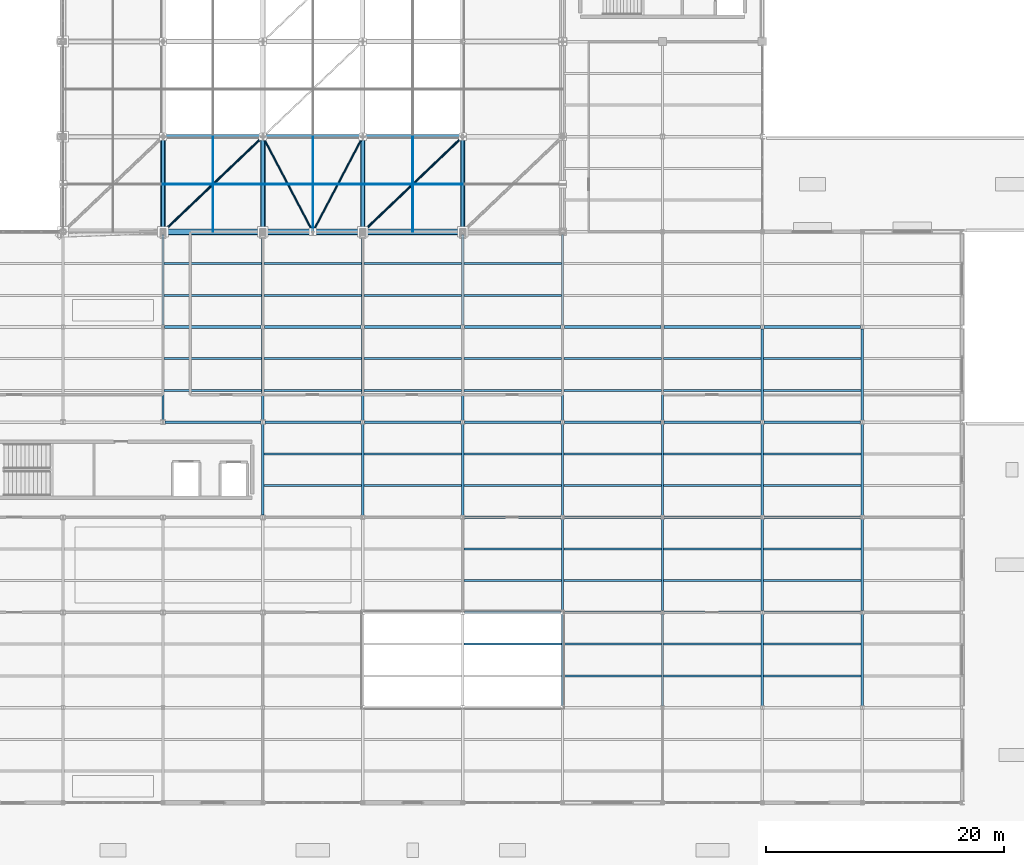
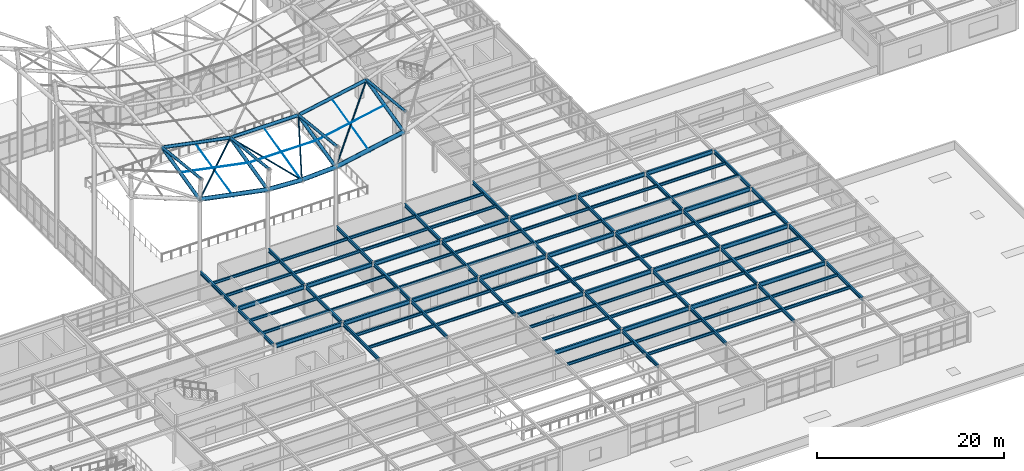
# One storey, part 34 of 138: 110 beams, 14 members.
"""IFC4 building model written with IfcOpenShell, lengths in metres."""

from ifc_helpers import new_model, si_unit, direction, frame, origin, origin_2d, place, context, subcontext, project, spatial, circle, hollow_circle, i_section, extrude, material, material_profile, profile_set, type_object, element, save


model = new_model("IFC4")

# Units and contexts
model_context = context("Model", 3, precision=1e-05, world=origin(), true_north=direction((0.0, 1.0)))
body_context = subcontext(model_context, "Body", "Model", "MODEL_VIEW")
ifc_project = project(units=[si_unit("LENGTHUNIT", "METRE"), si_unit("AREAUNIT", "SQUARE_METRE"), si_unit("VOLUMEUNIT", "CUBIC_METRE"), si_unit("PLANEANGLEUNIT", "RADIAN"), si_unit("MASSUNIT", "GRAM", prefix="KILO")], contexts=[model_context])

# Site, building, storey
site_placement = place(None, origin())
site = spatial("IfcSite", under=ifc_project, at=site_placement, CompositionType="ELEMENT")
building_placement = place(site_placement, origin())
building = spatial("IfcBuilding", under=site, at=building_placement, Name="Kranzveld Transit Interchange", CompositionType="ELEMENT")
storey_placement = place(building_placement, frame((0.0, 0.0, 5.43994140625)))
storey = spatial("IfcBuildingStorey", under=building, at=storey_placement, Name="L01", CompositionType="ELEMENT", Elevation=5.43994140625)

# Beams
ifc_material_1 = material(Name="Steel S355JR", Category="steel")
ifc_material_profile_1 = material_profile(ifc_material_1, i_section(OverallWidth=0.19189453125, OverallDepth=0.46337890625, WebThickness=0.010498046875, FlangeThickness=0.017578125, FilletRadius=0.01025390625, at=origin_2d()), Name="UB 457x191x89")
ifc_profile_set_1 = profile_set([ifc_material_profile_1], Name="Steel S355JR")
beam_type_1 = type_object("IfcBeamType", Name="Beam Steel UB 457x191x89 S355JR", PredefinedType="BEAM", material=ifc_profile_set_1)
beam_1_placement = place(storey_placement, frame((67.199951171875, 40.17724609375, 3.568359375), z_axis=(0.0, 1.0, 0.0), x_axis=(-1.0, 0.0, 0.0)))
element("IfcBeam", 1, at=beam_1_placement, inside=storey, type_object=beam_type_1, Name="L01 Girder 09/F-G", PredefinedType="BEAM", context=body_context, shape_type="SweptSolid", body=[
    extrude(i_section(OverallWidth=0.19189453125, OverallDepth=0.46337890625, WebThickness=0.010498046875, FlangeThickness=0.017578125, FilletRadius=0.01025390625, at=origin_2d()), origin(), (0.0, 0.0, 1.0), 7.672607421875),
])
beam_2_placement = place(storey_placement, frame((67.199951171875, 48.150146484375, 3.568359375), z_axis=(0.0, 1.0, 0.0), x_axis=(-1.0, 0.0, 0.0)))
element("IfcBeam", 2, at=beam_2_placement, inside=storey, type_object=beam_type_1, Name="L01 Girder 09/G-H", PredefinedType="BEAM", context=body_context, shape_type="SweptSolid", body=[
    extrude(i_section(OverallWidth=0.19189453125, OverallDepth=0.46337890625, WebThickness=0.010498046875, FlangeThickness=0.017578125, FilletRadius=0.01025390625, at=origin_2d()), origin(), (0.0, 0.0, 1.0), 7.63134765625),
])
beam_3_placement = place(storey_placement, frame((75.60009765625, 32.17724609375, 3.568359375), z_axis=(0.0, 1.0, 0.0), x_axis=(-1.0, 0.0, 0.0)))
element("IfcBeam", 3, at=beam_3_placement, inside=storey, type_object=beam_type_1, Name="L01 Girder 10/E-F", PredefinedType="BEAM", context=body_context, shape_type="SweptSolid", body=[
    extrude(i_section(OverallWidth=0.19189453125, OverallDepth=0.46337890625, WebThickness=0.010498046875, FlangeThickness=0.017578125, FilletRadius=0.01025390625, at=origin_2d()), origin(), (0.0, 0.0, 1.0), 7.6455078125),
])
beam_4_placement = place(storey_placement, frame((75.60009765625, 40.17724609375, 3.568359375), z_axis=(0.0, 1.0, 0.0), x_axis=(-1.0, 0.0, 0.0)))
element("IfcBeam", 4, at=beam_4_placement, inside=storey, type_object=beam_type_1, Name="L01 Girder 10/F-G", PredefinedType="BEAM", context=body_context, shape_type="SweptSolid", body=[
    extrude(i_section(OverallWidth=0.19189453125, OverallDepth=0.46337890625, WebThickness=0.010498046875, FlangeThickness=0.017578125, FilletRadius=0.01025390625, at=origin_2d()), origin(), (0.0, 0.0, 1.0), 7.672607421875),
])
beam_5_placement = place(storey_placement, frame((75.60009765625, 48.150146484375, 3.568359375), z_axis=(0.0, 1.0, 0.0), x_axis=(-1.0, 0.0, 0.0)))
element("IfcBeam", 5, at=beam_5_placement, inside=storey, type_object=beam_type_1, Name="L01 Girder 10/G-H", PredefinedType="BEAM", context=body_context, shape_type="SweptSolid", body=[
    extrude(i_section(OverallWidth=0.19189453125, OverallDepth=0.46337890625, WebThickness=0.010498046875, FlangeThickness=0.017578125, FilletRadius=0.01025390625, at=origin_2d()), origin(), (0.0, 0.0, 1.0), 7.63134765625),
])
for number, where, z_axis, x_axis, name in (
    (6, (84.0, 32.150146484375, 3.568359375), (0.0, 1.0, 0.0), (-1.0, 0.0, 0.0), "L01 Girder 11/E-F"),
    (7, (84.0, 40.150146484375, 3.568359375), (0.0, 1.0, 0.0), (-1.0, 0.0, 0.0), "L01 Girder 11/F-G"),
):
    element("IfcBeam", number, at=place(storey_placement, frame(where, z_axis=z_axis, x_axis=x_axis)), inside=storey, type_object=beam_type_1, Name=name, PredefinedType="BEAM", context=body_context, shape_type="SweptSolid", body=[
        extrude(i_section(OverallWidth=0.19189453125, OverallDepth=0.46337890625, WebThickness=0.010498046875, FlangeThickness=0.017578125, FilletRadius=0.01025390625, at=origin_2d()), origin(), (0.0, 0.0, 1.0), 7.69970703125),
    ])
beam_6_placement = place(storey_placement, frame((84.0, 48.150146484375, 3.568359375), z_axis=(0.0, 1.0, 0.0), x_axis=(-1.0, 0.0, 0.0)))
element("IfcBeam", 8, at=beam_6_placement, inside=storey, type_object=beam_type_1, Name="L01 Girder 11/G-H", PredefinedType="BEAM", context=body_context, shape_type="SweptSolid", body=[
    extrude(i_section(OverallWidth=0.19189453125, OverallDepth=0.46337890625, WebThickness=0.010498046875, FlangeThickness=0.017578125, FilletRadius=0.01025390625, at=origin_2d()), origin(), (0.0, 0.0, 1.0), 7.63134765625),
])
for number, where, z_axis, x_axis, name in (
    (9, (92.39990234375, 32.150146484375, 3.568359375), (0.0, 1.0, 0.0), (-1.0, 0.0, 0.0), "L01 Girder 12/E-F"),
    (10, (92.39990234375, 40.150146484375, 3.568359375), (0.0, 1.0, 0.0), (-1.0, 0.0, 0.0), "L01 Girder 12/F-G"),
):
    element("IfcBeam", number, at=place(storey_placement, frame(where, z_axis=z_axis, x_axis=x_axis)), inside=storey, type_object=beam_type_1, Name=name, PredefinedType="BEAM", context=body_context, shape_type="SweptSolid", body=[
        extrude(i_section(OverallWidth=0.19189453125, OverallDepth=0.46337890625, WebThickness=0.010498046875, FlangeThickness=0.017578125, FilletRadius=0.01025390625, at=origin_2d()), origin(), (0.0, 0.0, 1.0), 7.69970703125),
    ])
beam_7_placement = place(storey_placement, frame((92.39990234375, 48.150146484375, 3.568359375), z_axis=(0.0, 1.0, 0.0), x_axis=(-1.0, 0.0, 0.0)))
element("IfcBeam", 11, at=beam_7_placement, inside=storey, type_object=beam_type_1, Name="L01 Girder 12/G-H", PredefinedType="BEAM", context=body_context, shape_type="SweptSolid", body=[
    extrude(i_section(OverallWidth=0.19189453125, OverallDepth=0.46337890625, WebThickness=0.010498046875, FlangeThickness=0.017578125, FilletRadius=0.01025390625, at=origin_2d()), origin(), (0.0, 0.0, 1.0), 7.63134765625),
])
for number, where, z_axis, x_axis, name in (
    (12, (100.800048828125, 16.150146484375, 3.568359375), (0.0, 1.0, 0.0), (-1.0, 0.0, 0.0), "L01 Girder 13/C-D"),
    (13, (100.800048828125, 24.150146484375, 3.568359375), (0.0, 1.0, 0.0), (-1.0, 0.0, 0.0), "L01 Girder 13/D-E"),
    (14, (100.800048828125, 32.150146484375, 3.568359375), (0.0, 1.0, 0.0), (-1.0, 0.0, 0.0), "L01 Girder 13/E-F"),
    (15, (100.800048828125, 40.150146484375, 3.568359375), (0.0, 1.0, 0.0), (-1.0, 0.0, 0.0), "L01 Girder 13/F-G"),
):
    element("IfcBeam", number, at=place(storey_placement, frame(where, z_axis=z_axis, x_axis=x_axis)), inside=storey, type_object=beam_type_1, Name=name, PredefinedType="BEAM", context=body_context, shape_type="SweptSolid", body=[
        extrude(i_section(OverallWidth=0.19189453125, OverallDepth=0.46337890625, WebThickness=0.010498046875, FlangeThickness=0.017578125, FilletRadius=0.01025390625, at=origin_2d()), origin(), (0.0, 0.0, 1.0), 7.69970703125),
    ])
beam_8_placement = place(storey_placement, frame((100.800048828125, 48.150146484375, 3.568359375), z_axis=(0.0, 1.0, 0.0), x_axis=(-1.0, 0.0, 0.0)))
element("IfcBeam", 16, at=beam_8_placement, inside=storey, type_object=beam_type_1, Name="L01 Girder 13/G-H", PredefinedType="BEAM", context=body_context, shape_type="SweptSolid", body=[
    extrude(i_section(OverallWidth=0.19189453125, OverallDepth=0.46337890625, WebThickness=0.010498046875, FlangeThickness=0.017578125, FilletRadius=0.01025390625, at=origin_2d()), origin(), (0.0, 0.0, 1.0), 7.63134765625),
])
for number, where, z_axis, x_axis, name in (
    (17, (109.199951171875, 16.150146484375, 3.568359375), (0.0, 1.0, 0.0), (-1.0, 0.0, 0.0), "L01 Girder 14/C-D"),
    (18, (109.199951171875, 24.150146484375, 3.568359375), (0.0, 1.0, 0.0), (-1.0, 0.0, 0.0), "L01 Girder 14/D-E"),
    (19, (109.199951171875, 32.150146484375, 3.568359375), (0.0, 1.0, 0.0), (-1.0, 0.0, 0.0), "L01 Girder 14/E-F"),
    (20, (109.199951171875, 40.150146484375, 3.568359375), (0.0, 1.0, 0.0), (-1.0, 0.0, 0.0), "L01 Girder 14/F-G"),
    (21, (117.60009765625, 16.150146484375, 3.568359375), (0.0, 1.0, 0.0), (-1.0, 0.0, 0.0), "L01 Girder 15/C-D"),
    (22, (117.60009765625, 24.150146484375, 3.568359375), (0.0, 1.0, 0.0), (-1.0, 0.0, 0.0), "L01 Girder 15/D-E"),
    (23, (117.60009765625, 32.150146484375, 3.568359375), (0.0, 1.0, 0.0), (-1.0, 0.0, 0.0), "L01 Girder 15/E-F"),
    (24, (117.60009765625, 40.150146484375, 3.568359375), (0.0, 1.0, 0.0), (-1.0, 0.0, 0.0), "L01 Girder 15/F-G"),
    (25, (126.0, 16.150146484375, 3.568359375), (0.0, 1.0, 0.0), (-1.0, 0.0, 0.0), "L01 Girder 16/C-D"),
    (26, (126.0, 24.150146484375, 3.568359375), (0.0, 1.0, 0.0), (-1.0, 0.0, 0.0), "L01 Girder 16/D-E"),
    (27, (126.0, 32.150146484375, 3.568359375), (0.0, 1.0, 0.0), (-1.0, 0.0, 0.0), "L01 Girder 16/E-F"),
    (28, (126.0, 40.150146484375, 3.568359375), (0.0, 1.0, 0.0), (-1.0, 0.0, 0.0), "L01 Girder 16/F-G"),
):
    element("IfcBeam", number, at=place(storey_placement, frame(where, z_axis=z_axis, x_axis=x_axis)), inside=storey, type_object=beam_type_1, Name=name, PredefinedType="BEAM", context=body_context, shape_type="SweptSolid", body=[
        extrude(i_section(OverallWidth=0.19189453125, OverallDepth=0.46337890625, WebThickness=0.010498046875, FlangeThickness=0.017578125, FilletRadius=0.01025390625, at=origin_2d()), origin(), (0.0, 0.0, 1.0), 7.69970703125),
    ])
ifc_material_2 = material(Name="Steel S355JR", Category="steel")
ifc_material_profile_2 = material_profile(ifc_material_2, i_section(OverallWidth=0.172119140625, OverallDepth=0.35791015625, WebThickness=0.008056640625, FlangeThickness=0.012939453125, FilletRadius=0.01025390625, at=origin_2d()), Name="UB 356x171x57")
ifc_profile_set_2 = profile_set([ifc_material_profile_2], Name="Steel S355JR")
beam_type_2 = type_object("IfcBeamType", Name="Floor Joist UB 356x171x57 S355JR", PredefinedType="JOIST", material=ifc_profile_set_2)
for number, where, z_axis, x_axis, name in (
    (29, (67.2978515625, 42.666748046875, 3.62109375), (1.0, 0.0, 0.0), (0.0, 1.0, 0.0), "L01 Secondary Joist 09-10/F.1"),
    (30, (67.2978515625, 45.333251953125, 3.62109375), (1.0, 0.0, 0.0), (0.0, 1.0, 0.0), "L01 Secondary Joist 09-10/F.2"),
    (31, (67.2978515625, 50.666748046875, 3.62109375), (1.0, 0.0, 0.0), (0.0, 1.0, 0.0), "L01 Secondary Joist 09-10/G.1"),
    (32, (67.2978515625, 53.333251953125, 3.62109375), (1.0, 0.0, 0.0), (0.0, 1.0, 0.0), "L01 Secondary Joist 09-10/G.2"),
    (33, (75.697998046875, 34.666748046875, 3.62109375), (1.0, 0.0, 0.0), (0.0, 1.0, 0.0), "L01 Secondary Joist 10-11/E.1"),
    (34, (75.697998046875, 37.333251953125, 3.62109375), (1.0, 0.0, 0.0), (0.0, 1.0, 0.0), "L01 Secondary Joist 10-11/E.2"),
    (35, (75.697998046875, 42.666748046875, 3.62109375), (1.0, 0.0, 0.0), (0.0, 1.0, 0.0), "L01 Secondary Joist 10-11/F.1"),
    (36, (75.697998046875, 45.333251953125, 3.62109375), (1.0, 0.0, 0.0), (0.0, 1.0, 0.0), "L01 Secondary Joist 10-11/F.2"),
    (37, (75.697998046875, 50.666748046875, 3.62109375), (1.0, 0.0, 0.0), (0.0, 1.0, 0.0), "L01 Secondary Joist 10-11/G.1"),
    (38, (75.697998046875, 53.333251953125, 3.62109375), (1.0, 0.0, 0.0), (0.0, 1.0, 0.0), "L01 Secondary Joist 10-11/G.2"),
    (39, (84.097900390625, 34.666748046875, 3.62109375), (1.0, 0.0, 0.0), (0.0, 1.0, 0.0), "L01 Secondary Joist 11-12/E.1"),
    (40, (84.097900390625, 37.333251953125, 3.62109375), (1.0, 0.0, 0.0), (0.0, 1.0, 0.0), "L01 Secondary Joist 11-12/E.2"),
    (41, (84.097900390625, 42.666748046875, 3.62109375), (1.0, 0.0, 0.0), (0.0, 1.0, 0.0), "L01 Secondary Joist 11-12/F.1"),
    (42, (84.097900390625, 45.333251953125, 3.62109375), (1.0, 0.0, 0.0), (0.0, 1.0, 0.0), "L01 Secondary Joist 11-12/F.2"),
    (43, (84.097900390625, 50.666748046875, 3.62109375), (1.0, 0.0, 0.0), (0.0, 1.0, 0.0), "L01 Secondary Joist 11-12/G.1"),
    (44, (84.097900390625, 53.333251953125, 3.62109375), (1.0, 0.0, 0.0), (0.0, 1.0, 0.0), "L01 Secondary Joist 11-12/G.2"),
    (45, (92.498046875, 21.333251953125, 3.62109375), (1.0, 0.0, 0.0), (0.0, 1.0, 0.0), "L01 Secondary Joist 12-13/C.2"),
    (46, (92.498046875, 26.666748046875, 3.62109375), (1.0, 0.0, 0.0), (0.0, 1.0, 0.0), "L01 Secondary Joist 12-13/D.1"),
    (47, (92.498046875, 29.333251953125, 3.62109375), (1.0, 0.0, 0.0), (0.0, 1.0, 0.0), "L01 Secondary Joist 12-13/D.2"),
    (48, (92.498046875, 34.666748046875, 3.62109375), (1.0, 0.0, 0.0), (0.0, 1.0, 0.0), "L01 Secondary Joist 12-13/E.1"),
    (49, (92.498046875, 37.333251953125, 3.62109375), (1.0, 0.0, 0.0), (0.0, 1.0, 0.0), "L01 Secondary Joist 12-13/E.2"),
    (50, (92.498046875, 42.666748046875, 3.62109375), (1.0, 0.0, 0.0), (0.0, 1.0, 0.0), "L01 Secondary Joist 12-13/F.1"),
    (51, (92.498046875, 45.333251953125, 3.62109375), (1.0, 0.0, 0.0), (0.0, 1.0, 0.0), "L01 Secondary Joist 12-13/F.2"),
    (52, (92.498046875, 50.666748046875, 3.62109375), (1.0, 0.0, 0.0), (0.0, 1.0, 0.0), "L01 Secondary Joist 12-13/G.1"),
    (53, (92.498046875, 53.333251953125, 3.62109375), (1.0, 0.0, 0.0), (0.0, 1.0, 0.0), "L01 Secondary Joist 12-13/G.2"),
    (54, (100.89794921875, 18.666748046875, 3.62109375), (1.0, 0.0, 0.0), (0.0, 1.0, 0.0), "L01 Secondary Joist 13-14/C.1"),
    (55, (100.89794921875, 21.333251953125, 3.62109375), (1.0, 0.0, 0.0), (0.0, 1.0, 0.0), "L01 Secondary Joist 13-14/C.2"),
    (56, (100.89794921875, 26.666748046875, 3.62109375), (1.0, 0.0, 0.0), (0.0, 1.0, 0.0), "L01 Secondary Joist 13-14/D.1"),
    (57, (100.89794921875, 29.333251953125, 3.62109375), (1.0, 0.0, 0.0), (0.0, 1.0, 0.0), "L01 Secondary Joist 13-14/D.2"),
    (58, (100.89794921875, 34.666748046875, 3.62109375), (1.0, 0.0, 0.0), (0.0, 1.0, 0.0), "L01 Secondary Joist 13-14/E.1"),
    (59, (100.89794921875, 37.333251953125, 3.62109375), (1.0, 0.0, 0.0), (0.0, 1.0, 0.0), "L01 Secondary Joist 13-14/E.2"),
    (60, (100.89794921875, 42.666748046875, 3.62109375), (1.0, 0.0, 0.0), (0.0, 1.0, 0.0), "L01 Secondary Joist 13-14/F.1"),
    (61, (100.89794921875, 45.333251953125, 3.62109375), (1.0, 0.0, 0.0), (0.0, 1.0, 0.0), "L01 Secondary Joist 13-14/F.2"),
    (62, (109.2978515625, 18.666748046875, 3.62109375), (1.0, 0.0, 0.0), (0.0, 1.0, 0.0), "L01 Secondary Joist 14-15/C.1"),
    (63, (109.2978515625, 21.333251953125, 3.62109375), (1.0, 0.0, 0.0), (0.0, 1.0, 0.0), "L01 Secondary Joist 14-15/C.2"),
    (64, (109.2978515625, 26.666748046875, 3.62109375), (1.0, 0.0, 0.0), (0.0, 1.0, 0.0), "L01 Secondary Joist 14-15/D.1"),
    (65, (109.2978515625, 29.333251953125, 3.62109375), (1.0, 0.0, 0.0), (0.0, 1.0, 0.0), "L01 Secondary Joist 14-15/D.2"),
    (66, (109.2978515625, 34.666748046875, 3.62109375), (1.0, 0.0, 0.0), (0.0, 1.0, 0.0), "L01 Secondary Joist 14-15/E.1"),
    (67, (109.2978515625, 37.333251953125, 3.62109375), (1.0, 0.0, 0.0), (0.0, 1.0, 0.0), "L01 Secondary Joist 14-15/E.2"),
    (68, (109.2978515625, 42.666748046875, 3.62109375), (1.0, 0.0, 0.0), (0.0, 1.0, 0.0), "L01 Secondary Joist 14-15/F.1"),
    (69, (109.2978515625, 45.333251953125, 3.62109375), (1.0, 0.0, 0.0), (0.0, 1.0, 0.0), "L01 Secondary Joist 14-15/F.2"),
    (70, (117.697998046875, 18.666748046875, 3.62109375), (1.0, 0.0, 0.0), (0.0, 1.0, 0.0), "L01 Secondary Joist 15-16/C.1"),
    (71, (117.697998046875, 21.333251953125, 3.62109375), (1.0, 0.0, 0.0), (0.0, 1.0, 0.0), "L01 Secondary Joist 15-16/C.2"),
    (72, (117.697998046875, 26.666748046875, 3.62109375), (1.0, 0.0, 0.0), (0.0, 1.0, 0.0), "L01 Secondary Joist 15-16/D.1"),
    (73, (117.697998046875, 29.333251953125, 3.62109375), (1.0, 0.0, 0.0), (0.0, 1.0, 0.0), "L01 Secondary Joist 15-16/D.2"),
    (74, (117.697998046875, 34.666748046875, 3.62109375), (1.0, 0.0, 0.0), (0.0, 1.0, 0.0), "L01 Secondary Joist 15-16/E.1"),
    (75, (117.697998046875, 37.333251953125, 3.62109375), (1.0, 0.0, 0.0), (0.0, 1.0, 0.0), "L01 Secondary Joist 15-16/E.2"),
    (76, (117.697998046875, 42.666748046875, 3.62109375), (1.0, 0.0, 0.0), (0.0, 1.0, 0.0), "L01 Secondary Joist 15-16/F.1"),
    (77, (117.697998046875, 45.333251953125, 3.62109375), (1.0, 0.0, 0.0), (0.0, 1.0, 0.0), "L01 Secondary Joist 15-16/F.2"),
):
    element("IfcBeam", number, at=place(storey_placement, frame(where, z_axis=z_axis, x_axis=x_axis)), inside=storey, type_object=beam_type_2, Name=name, PredefinedType="JOIST", context=body_context, shape_type="SweptSolid", body=[
        extrude(i_section(OverallWidth=0.172119140625, OverallDepth=0.35791015625, WebThickness=0.008056640625, FlangeThickness=0.012939453125, FilletRadius=0.01025390625, at=origin_2d()), origin(), (0.0, 0.0, 1.0), 8.2041015625),
    ])
ifc_material_3 = material(Name="Steel S355JR", Category="steel")
ifc_material_profile_3 = material_profile(ifc_material_3, i_section(OverallWidth=0.210693359375, OverallDepth=0.53955078125, WebThickness=0.01171875, FlangeThickness=0.018798828125, FilletRadius=0.0126953125, at=origin_2d()), Name="UB 533x210x109")
ifc_profile_set_3 = profile_set([ifc_material_profile_3], Name="Steel S355JR")
beam_type_3 = type_object("IfcBeamType", Name="Girder Steel UB 533x210x109 S355JR", PredefinedType="BEAM", material=ifc_profile_set_3)
for number, where, z_axis, x_axis, name in (
    (78, (92.544677734375, 24.0, 3.5302734375), (1.0, 0.0, 0.0), (0.0, 1.0, 0.0), "L01 Girder 12-13/D"),
    (79, (100.944580078125, 24.0, 3.5302734375), (1.0, 0.0, 0.0), (0.0, 1.0, 0.0), "L01 Girder 13-14/D"),
    (80, (109.344482421875, 24.0, 3.5302734375), (1.0, 0.0, 0.0), (0.0, 1.0, 0.0), "L01 Girder 14-15/D"),
    (81, (117.74462890625, 24.0, 3.5302734375), (1.0, 0.0, 0.0), (0.0, 1.0, 0.0), "L01 Girder 15-16/D"),
    (82, (92.544677734375, 32.0, 3.5302734375), (1.0, 0.0, 0.0), (0.0, 1.0, 0.0), "L01 Girder 12-13/E"),
    (83, (100.944580078125, 32.0, 3.5302734375), (1.0, 0.0, 0.0), (0.0, 1.0, 0.0), "L01 Girder 13-14/E"),
    (84, (109.344482421875, 32.0, 3.5302734375), (1.0, 0.0, 0.0), (0.0, 1.0, 0.0), "L01 Girder 14-15/E"),
    (85, (117.74462890625, 32.0, 3.5302734375), (1.0, 0.0, 0.0), (0.0, 1.0, 0.0), "L01 Girder 15-16/E"),
):
    element("IfcBeam", number, at=place(storey_placement, frame(where, z_axis=z_axis, x_axis=x_axis)), inside=storey, type_object=beam_type_3, Name=name, PredefinedType="BEAM", context=body_context, shape_type="SweptSolid", body=[
        extrude(i_section(OverallWidth=0.210693359375, OverallDepth=0.53955078125, WebThickness=0.01171875, FlangeThickness=0.018798828125, FilletRadius=0.0126953125, at=origin_2d()), origin(), (0.0, 0.0, 1.0), 8.11083984375),
    ])
beam_9_placement = place(storey_placement, frame((67.377197265625, 40.0, 3.5302734375), z_axis=(1.0, 0.0, 0.0), x_axis=(0.0, 1.0, 0.0)))
element("IfcBeam", 86, at=beam_9_placement, inside=storey, type_object=beam_type_3, Name="L01 Girder 09-10/F", PredefinedType="BEAM", context=body_context, shape_type="SweptSolid", body=[
    extrude(i_section(OverallWidth=0.210693359375, OverallDepth=0.53955078125, WebThickness=0.01171875, FlangeThickness=0.018798828125, FilletRadius=0.0126953125, at=origin_2d()), origin(), (0.0, 0.0, 1.0), 8.04541015625),
])
beam_10_placement = place(storey_placement, frame((75.77734375, 40.0, 3.5302734375), z_axis=(1.0, 0.0, 0.0), x_axis=(0.0, 1.0, 0.0)))
element("IfcBeam", 87, at=beam_10_placement, inside=storey, type_object=beam_type_3, Name="L01 Girder 10-11/F", PredefinedType="BEAM", context=body_context, shape_type="SweptSolid", body=[
    extrude(i_section(OverallWidth=0.210693359375, OverallDepth=0.53955078125, WebThickness=0.01171875, FlangeThickness=0.018798828125, FilletRadius=0.0126953125, at=origin_2d()), origin(), (0.0, 0.0, 1.0), 8.078125),
])
for number, where, z_axis, x_axis, name in (
    (88, (84.14453125, 40.0, 3.5302734375), (1.0, 0.0, 0.0), (0.0, 1.0, 0.0), "L01 Girder 11-12/F"),
    (89, (92.544677734375, 40.0, 3.5302734375), (1.0, 0.0, 0.0), (0.0, 1.0, 0.0), "L01 Girder 12-13/F"),
    (90, (100.944580078125, 40.0, 3.5302734375), (1.0, 0.0, 0.0), (0.0, 1.0, 0.0), "L01 Girder 13-14/F"),
    (91, (109.344482421875, 40.0, 3.5302734375), (1.0, 0.0, 0.0), (0.0, 1.0, 0.0), "L01 Girder 14-15/F"),
    (92, (117.74462890625, 40.0, 3.5302734375), (1.0, 0.0, 0.0), (0.0, 1.0, 0.0), "L01 Girder 15-16/F"),
    (93, (67.344482421875, 48.0, 3.5302734375), (1.0, 0.0, 0.0), (0.0, 1.0, 0.0), "L01 Girder 09-10/G"),
    (94, (75.74462890625, 48.0, 3.5302734375), (1.0, 0.0, 0.0), (0.0, 1.0, 0.0), "L01 Girder 10-11/G"),
    (95, (84.14453125, 48.0, 3.5302734375), (1.0, 0.0, 0.0), (0.0, 1.0, 0.0), "L01 Girder 11-12/G"),
    (96, (92.544677734375, 48.0, 3.5302734375), (1.0, 0.0, 0.0), (0.0, 1.0, 0.0), "L01 Girder 12-13/G"),
    (97, (100.944580078125, 48.0, 3.5302734375), (1.0, 0.0, 0.0), (0.0, 1.0, 0.0), "L01 Girder 13-14/G"),
    (98, (109.344482421875, 48.0, 3.5302734375), (1.0, 0.0, 0.0), (0.0, 1.0, 0.0), "L01 Girder 14-15/G"),
    (99, (117.74462890625, 48.0, 3.5302734375), (1.0, 0.0, 0.0), (0.0, 1.0, 0.0), "L01 Girder 15-16/G"),
):
    element("IfcBeam", number, at=place(storey_placement, frame(where, z_axis=z_axis, x_axis=x_axis)), inside=storey, type_object=beam_type_3, Name=name, PredefinedType="BEAM", context=body_context, shape_type="SweptSolid", body=[
        extrude(i_section(OverallWidth=0.210693359375, OverallDepth=0.53955078125, WebThickness=0.01171875, FlangeThickness=0.018798828125, FilletRadius=0.0126953125, at=origin_2d()), origin(), (0.0, 0.0, 1.0), 8.11083984375),
    ])

# Members
ifc_material_4 = material(Name="Steel S355JR", Category="steel")
ifc_material_profile_4 = material_profile(ifc_material_4, hollow_circle(Radius=0.161865234375, WallThickness=0.012451171875, at=origin_2d()), Name="CHS 323.9x12.5")
ifc_profile_set_4 = profile_set([ifc_material_profile_4], Name="Steel S355JR")
member_type_1 = type_object("IfcMemberType", Name="Mast Tripod Strut CHS 323.9x12.5 S355JR", PredefinedType="STRUT", material=ifc_profile_set_4)
for number, where, z_axis, x_axis, name in (
    (100, (67.199951171875, 64.0, 14.93212890625), (0.0, -0.994173724148, 0.10778963871), (1.0, 0.0, 0.0), "Mast Tripod Strut MS-06"),
    (101, (75.60009765625, 64.0, 13.26806640625), (0.0, -0.994173724148, 0.10778963871), (1.0, 0.0, 0.0), "Mast Tripod Strut MS-07"),
    (102, (84.0, 64.0, 13.26806640625), (0.0, -0.994173724148, 0.10778963871), (1.0, 0.0, 0.0), "Mast Tripod Strut MS-08"),
    (103, (92.39990234375, 64.0, 14.93212890625), (0.0, -0.994173724148, 0.10778963871), (1.0, 0.0, 0.0), "Mast Tripod Strut MS-09"),
):
    element("IfcMember", number, at=place(storey_placement, frame(where, z_axis=z_axis, x_axis=x_axis)), inside=storey, type_object=member_type_1, Name=name, PredefinedType="STRUT", context=body_context, shape_type="SweptSolid", body=[
        extrude(hollow_circle(Radius=0.161865234375, WallThickness=0.012451171875, at=origin_2d()), origin(), (0.0, 0.0, 1.0), 8.3486328125),
    ])

# Beams
ifc_material_5 = material(Name="Steel S355JR", Category="steel")
ifc_material_profile_5 = material_profile(ifc_material_5, hollow_circle(Radius=0.25390625, WallThickness=0.02001953125, at=origin_2d()), Name="CHS 508x20")
ifc_profile_set_5 = profile_set([ifc_material_profile_5], Name="Steel S355JR")
beam_type_4 = type_object("IfcBeamType", Name="Ring Beam Steel CHS 508x20 S355JR", PredefinedType="BEAM", material=ifc_profile_set_5)
beam_11_placement = place(storey_placement, frame((67.199951171875, 56.0, 12.982177734375), z_axis=(0.980937602639, 0.0, -0.19432297787), x_axis=(0.0, 1.0, 0.0)))
element("IfcBeam", 104, at=beam_11_placement, inside=storey, type_object=beam_type_4, Name="Saddle Compression Ring Chord 09H-10H", PredefinedType="BEAM", context=body_context, shape_type="SweptSolid", body=[
    extrude(hollow_circle(Radius=0.25390625, WallThickness=0.02001953125, at=origin_2d()), origin(), (0.0, 0.0, 1.0), 8.5634765625),
])
for number, where, z_axis, x_axis, name in (
    (105, (75.60009765625, 56.0, 11.318115234375), (0.998775827081, 0.0, -0.049465616734), (0.0, 1.0, 0.0), "Saddle Compression Ring Chord 10H-10mH"),
    (106, (79.800048828125, 56.0, 11.110107421875), (0.998775827081, 0.0, 0.049465616734), (0.0, 1.0, 0.0), "Saddle Compression Ring Chord 10mH-11H"),
):
    element("IfcBeam", number, at=place(storey_placement, frame(where, z_axis=z_axis, x_axis=x_axis)), inside=storey, type_object=beam_type_4, Name=name, PredefinedType="BEAM", context=body_context, shape_type="SweptSolid", body=[
        extrude(hollow_circle(Radius=0.25390625, WallThickness=0.02001953125, at=origin_2d()), origin(), (0.0, 0.0, 1.0), 4.205078125),
    ])
beam_12_placement = place(storey_placement, frame((84.0, 56.0, 11.318115234375), z_axis=(0.980936526023, 0.0, 0.194328412526), x_axis=(0.0, 1.0, 0.0)))
element("IfcBeam", 107, at=beam_12_placement, inside=storey, type_object=beam_type_4, Name="Saddle Compression Ring Chord 11H-12H", PredefinedType="BEAM", context=body_context, shape_type="SweptSolid", body=[
    extrude(hollow_circle(Radius=0.25390625, WallThickness=0.02001953125, at=origin_2d()), origin(), (0.0, 0.0, 1.0), 8.563232421875),
])

# Members
ifc_material_6 = material(Name="Steel S355JR", Category="steel")
ifc_material_profile_6 = material_profile(ifc_material_6, hollow_circle(Radius=0.096923828125, WallThickness=0.00634765625, at=origin_2d()), Name="CHS 193.7x6.3")
ifc_profile_set_6 = profile_set([ifc_material_profile_6], Name="Steel S355JR")
member_type_2 = type_object("IfcMemberType", Name="Roof Brace CHS 193.7x6.3 S355JR", PredefinedType="BRACE", material=ifc_profile_set_6)
member_1_placement = place(storey_placement, frame((67.199951171875, 56.0, 12.93212890625), z_axis=(0.723924117175, 0.689439517296, 0.024637868492), x_axis=(-0.689648865971, 0.724143937118, 0.0)))
element("IfcMember", 108, at=member_1_placement, inside=storey, type_object=member_type_2, Name="Saddle Roof Plan Brace 09/H-10/J", PredefinedType="BRACE", context=body_context, shape_type="SweptSolid", body=[
    extrude(hollow_circle(Radius=0.096923828125, WallThickness=0.00634765625, at=origin_2d()), origin(), (0.0, 0.0, 1.0), 11.603515625),
])
member_2_placement = place(storey_placement, frame((84.0, 56.0, 11.26806640625), z_axis=(0.691357119328, 0.658443006631, 0.297452753514), x_axis=(-0.689659376744, 0.724133926887, 0.0)))
element("IfcMember", 109, at=member_2_placement, inside=storey, type_object=member_type_2, Name="Saddle Roof Plan Brace 11/H-12/J", PredefinedType="BRACE", context=body_context, shape_type="SweptSolid", body=[
    extrude(hollow_circle(Radius=0.096923828125, WallThickness=0.00634765625, at=origin_2d()), origin(), (0.0, 0.0, 1.0), 12.14990234375),
])
ifc_material_7 = material(Name="Steel S355JR", Category="steel")
ifc_material_profile_7 = material_profile(ifc_material_7, hollow_circle(Radius=0.084228515625, WallThickness=0.00634765625, at=origin_2d()), Name="CHS 168.3x6.3")
ifc_profile_set_7 = profile_set([ifc_material_profile_7], Name="Steel S355JR")
member_type_3 = type_object("IfcMemberType", Name="Roof Plan Brace CHS 168.3x6.3 S355JR", PredefinedType="BRACE", material=ifc_profile_set_7)
for number, where, z_axis, x_axis, name in (
    (110, (75.60009765625, 64.0, 13.238037109375), (0.452451523541, -0.861822445119, -0.22923719579), (0.885400126936, 0.464829662588, 0.0), "Saddle Roof Tie Brace 10/J-10mH"),
    (111, (84.0, 64.0, 13.238037109375), (-0.452451523541, -0.861822445119, -0.22923719579), (0.885400126936, -0.464829662588, 0.0), "Saddle Roof Tie Brace 11/J-10mH"),
):
    element("IfcMember", number, at=place(storey_placement, frame(where, z_axis=z_axis, x_axis=x_axis)), inside=storey, type_object=member_type_3, Name=name, PredefinedType="BRACE", context=body_context, shape_type="SweptSolid", body=[
        extrude(hollow_circle(Radius=0.084228515625, WallThickness=0.00634765625, at=origin_2d()), origin(), (0.0, 0.0, 1.0), 9.28271484375),
    ])

# Beams
ifc_material_8 = material(Name="Steel S355JR", Category="steel")
ifc_material_profile_8 = material_profile(ifc_material_8, hollow_circle(Radius=0.203125, WallThickness=0.01611328125, at=origin_2d()), Name="CHS 406.4x16")
ifc_profile_set_8 = profile_set([ifc_material_profile_8], Name="Steel S355JR")
beam_type_5 = type_object("IfcBeamType", Name="Saddle Arch Rib CHS 406.4x16 S355JR", PredefinedType="BEAM", material=ifc_profile_set_8)
for number, where, z_axis, x_axis, name in (
    (112, (67.199951171875, 56.0, 12.9521484375), (0.0, 0.971555787477, 0.236810793292), (-1.0, 0.0, 0.0), "Saddle Arch Rib 09/H-J"),
    (113, (75.60009765625, 56.0, 11.2880859375), (0.0, 0.971555787477, 0.236810793292), (-1.0, 0.0, 0.0), "Saddle Arch Rib 10/H-J"),
    (114, (84.0, 56.0, 11.2880859375), (0.0, 0.971555787477, 0.236810793292), (-1.0, 0.0, 0.0), "Saddle Arch Rib 11/H-J"),
    (115, (92.39990234375, 56.0, 12.9521484375), (0.0, 0.971555787477, 0.236810793292), (-1.0, 0.0, 0.0), "Saddle Arch Rib 12/H-J"),
):
    element("IfcBeam", number, at=place(storey_placement, frame(where, z_axis=z_axis, x_axis=x_axis)), inside=storey, type_object=beam_type_5, Name=name, PredefinedType="BEAM", context=body_context, shape_type="SweptSolid", body=[
        extrude(hollow_circle(Radius=0.203125, WallThickness=0.01611328125, at=origin_2d()), origin(), (0.0, 0.0, 1.0), 8.234130859375),
    ])
beam_13_placement = place(storey_placement, frame((67.199951171875, 64.0, 14.902099609375), z_axis=(0.980937602639, 0.0, -0.19432297787), x_axis=(0.0, 1.0, 0.0)))
element("IfcBeam", 116, at=beam_13_placement, inside=storey, type_object=beam_type_5, Name="Saddle Arch Rib 09-10/J", PredefinedType="BEAM", context=body_context, shape_type="SweptSolid", body=[
    extrude(hollow_circle(Radius=0.203125, WallThickness=0.01611328125, at=origin_2d()), origin(), (0.0, 0.0, 1.0), 8.5634765625),
])
beam_14_placement = place(storey_placement, frame((75.60009765625, 64.0, 13.238037109375), z_axis=(1.0, 0.0, 0.0), x_axis=(0.0, 1.0, 0.0)))
element("IfcBeam", 117, at=beam_14_placement, inside=storey, type_object=beam_type_5, Name="Saddle Arch Rib 10-11/J", PredefinedType="BEAM", context=body_context, shape_type="SweptSolid", body=[
    extrude(hollow_circle(Radius=0.203125, WallThickness=0.01611328125, at=origin_2d()), origin(), (0.0, 0.0, 1.0), 8.39990234375),
])
beam_15_placement = place(storey_placement, frame((84.0, 64.0, 13.238037109375), z_axis=(0.980936526023, 0.0, 0.194328412526), x_axis=(0.0, 1.0, 0.0)))
element("IfcBeam", 118, at=beam_15_placement, inside=storey, type_object=beam_type_5, Name="Saddle Arch Rib 11-12/J", PredefinedType="BEAM", context=body_context, shape_type="SweptSolid", body=[
    extrude(hollow_circle(Radius=0.203125, WallThickness=0.01611328125, at=origin_2d()), origin(), (0.0, 0.0, 1.0), 8.563232421875),
])

# Members
ifc_material_9 = material(Name="Steel S355JR", Category="steel")
ifc_material_profile_9 = material_profile(ifc_material_9, circle(Radius=0.031982421875, at=origin_2d()), Name="CABLE D64")
ifc_profile_set_9 = profile_set([ifc_material_profile_9], Name="Steel S355JR")
member_type_4 = type_object("IfcMemberType", Name="Saddle Carrying Cable D64 S355JR", PredefinedType="USERDEFINED", material=ifc_profile_set_9)
member_3_placement = place(storey_placement, frame((67.199951171875, 60.0, 14.069580078125), z_axis=(0.980937602639, 0.0, -0.19432297787), x_axis=(0.0, 1.0, 0.0)))
element("IfcMember", 119, at=member_3_placement, inside=storey, type_object=member_type_4, Name="Saddle Carrying Cable 09/J", ObjectType="CABLE", PredefinedType="USERDEFINED", context=body_context, shape_type="SweptSolid", body=[
    extrude(circle(Radius=0.031982421875, at=origin_2d()), origin(), (0.0, 0.0, 1.0), 8.5634765625),
])
member_4_placement = place(storey_placement, frame((75.60009765625, 60.0, 12.405517578125), z_axis=(1.0, 0.0, 0.0), x_axis=(0.0, 1.0, 0.0)))
element("IfcMember", 120, at=member_4_placement, inside=storey, type_object=member_type_4, Name="Saddle Carrying Cable 10/J", ObjectType="CABLE", PredefinedType="USERDEFINED", context=body_context, shape_type="SweptSolid", body=[
    extrude(circle(Radius=0.031982421875, at=origin_2d()), origin(), (0.0, 0.0, 1.0), 8.39990234375),
])
member_5_placement = place(storey_placement, frame((84.0, 60.0, 12.405517578125), z_axis=(0.980936526023, 0.0, 0.194328412526), x_axis=(0.0, 1.0, 0.0)))
element("IfcMember", 121, at=member_5_placement, inside=storey, type_object=member_type_4, Name="Saddle Carrying Cable 11/J", ObjectType="CABLE", PredefinedType="USERDEFINED", context=body_context, shape_type="SweptSolid", body=[
    extrude(circle(Radius=0.031982421875, at=origin_2d()), origin(), (0.0, 0.0, 1.0), 8.563232421875),
])
ifc_material_10 = material(Name="Steel S355JR", Category="steel")
ifc_material_profile_10 = material_profile(ifc_material_10, circle(Radius=0.02392578125, at=origin_2d()), Name="CABLE D48")
ifc_profile_set_10 = profile_set([ifc_material_profile_10], Name="Steel S355JR")
member_type_5 = type_object("IfcMemberType", Name="Saddle Stabilising Cable D48 S355JR", PredefinedType="USERDEFINED", material=ifc_profile_set_10)
for number, where, z_axis, x_axis, name in (
    (122, (71.39990234375, 56.0, 11.8720703125), (0.0, 0.971555787477, 0.236810793292), (-1.0, 0.0, 0.0), "Saddle Stabilising Cable 10/H"),
    (123, (79.800048828125, 56.0, 11.0400390625), (0.0, 0.971555787477, 0.236810793292), (-1.0, 0.0, 0.0), "Saddle Stabilising Cable 11/H"),
    (124, (88.199951171875, 56.0, 11.8720703125), (0.0, 0.971555787477, 0.236810793292), (-1.0, 0.0, 0.0), "Saddle Stabilising Cable 12/H"),
):
    element("IfcMember", number, at=place(storey_placement, frame(where, z_axis=z_axis, x_axis=x_axis)), inside=storey, type_object=member_type_5, Name=name, ObjectType="CABLE", PredefinedType="USERDEFINED", context=body_context, shape_type="SweptSolid", body=[
        extrude(circle(Radius=0.02392578125, at=origin_2d()), origin(), (0.0, 0.0, 1.0), 8.234130859375),
    ])

save(model, "model.ifc")
